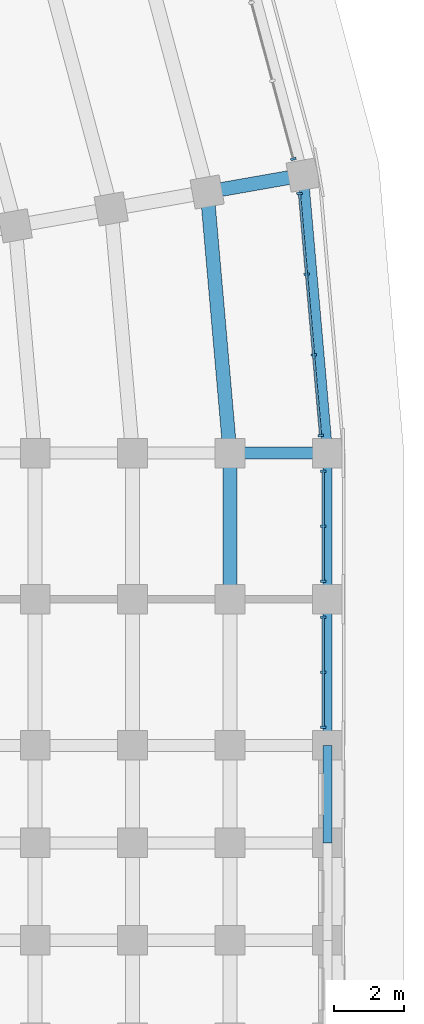
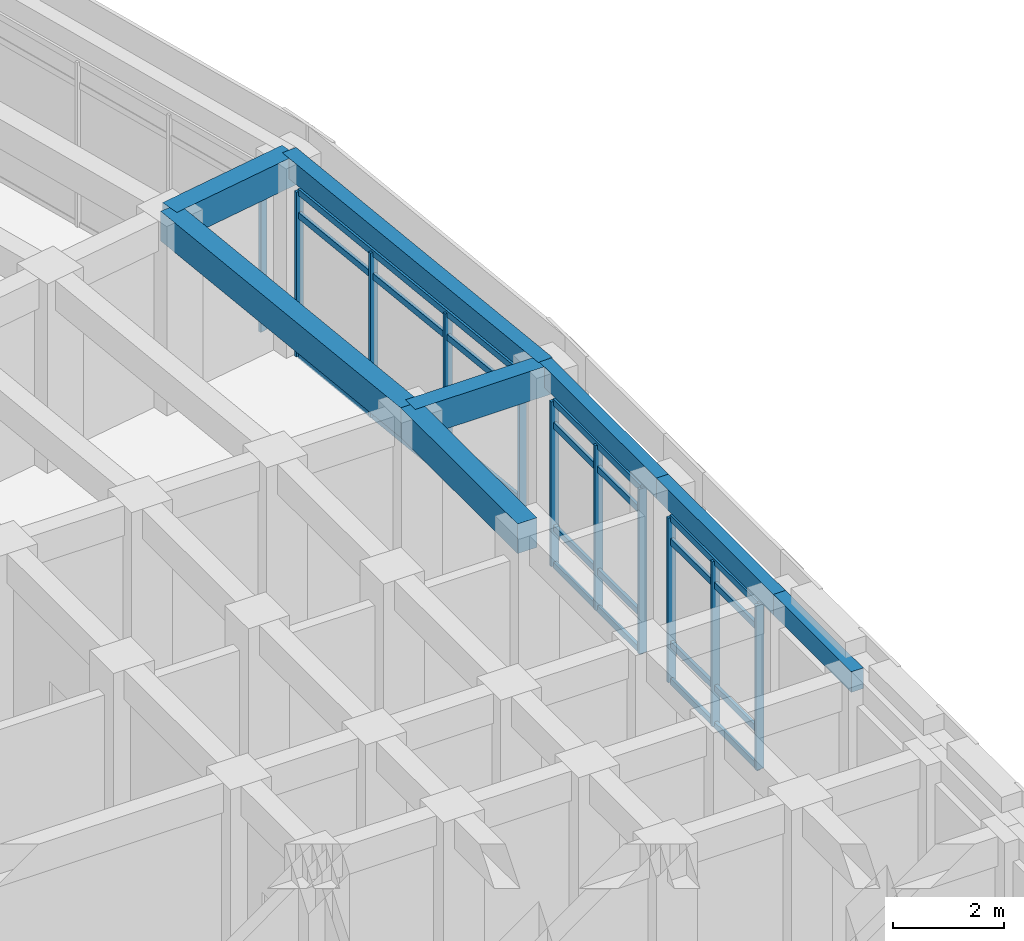
# One storey, part 49 of 135: 23 members, 8 beams, 4 elements without a shape of their own.
"""IFC4 building model written with IfcOpenShell, lengths in metres."""

from ifc_helpers import new_model, si_unit, direction, frame, origin, origin_2d, place, context, subcontext, project, spatial, rectangle, extrude, material, material_profile, profile_set, type_object, element, aggregate, save


model = new_model("IFC4")

# Units and contexts
model_context = context("Model", 3, precision=1e-05, world=origin(), true_north=direction((0.0, 1.0)))
body_context = subcontext(model_context, "Body", "Model", "MODEL_VIEW")
ifc_project = project(units=[si_unit("LENGTHUNIT", "METRE"), si_unit("AREAUNIT", "SQUARE_METRE"), si_unit("VOLUMEUNIT", "CUBIC_METRE"), si_unit("PLANEANGLEUNIT", "RADIAN"), si_unit("MASSUNIT", "GRAM", prefix="KILO")], contexts=[model_context])

# Site, building, storey
site_placement = place(None, origin())
site = spatial("IfcSite", under=ifc_project, at=site_placement, CompositionType="ELEMENT")
building_placement = place(site_placement, origin())
building = spatial("IfcBuilding", under=site, at=building_placement, Name="Kiranvali Square Residences", CompositionType="ELEMENT")
storey_placement = place(building_placement, origin())
storey = spatial("IfcBuildingStorey", under=building, at=storey_placement, Name="L00", CompositionType="ELEMENT", Elevation=0.0)

# Beams
ifc_material_1 = material(Name="Concrete M40 (40 MPa)", Category="concrete")
ifc_material_profile_1 = material_profile(ifc_material_1, rectangle(XDim=0.35009765625, YDim=0.64990234375, at=origin_2d()), Name="RC 350x650")
ifc_profile_set_1 = profile_set([ifc_material_profile_1], Name="Concrete M40 (40 MPa)")
beam_type_1 = type_object("IfcBeamType", Name="BM-M40-350x650", PredefinedType="BEAM", material=ifc_profile_set_1)
beam_1_placement = place(storey_placement, frame((163.0, 87.800048828125, 3.824951171875), z_axis=(1.0, 0.0, 0.0), x_axis=(0.0, 1.0, 0.0)))
element("IfcBeam", 1, at=beam_1_placement, inside=storey, type_object=beam_type_1, Name="L00 beam BM-B-L00-A2T0-67", PredefinedType="BEAM", context=body_context, shape_type="SweptSolid", body=[
    extrude(rectangle(XDim=0.35009765625, YDim=0.64990234375, at=origin_2d()), origin(), (0.0, 0.0, 1.0), 2.800048828125),
])
ifc_material_2 = material(Name="Concrete M45 (45 MPa)", Category="concrete")
ifc_material_profile_2 = material_profile(ifc_material_2, rectangle(XDim=0.39990234375, YDim=0.64990234375, at=origin_2d()), Name="RC 400x650")
ifc_profile_set_2 = profile_set([ifc_material_profile_2], Name="Concrete M45 (45 MPa)")
beam_type_2 = type_object("IfcBeamType", Name="BM-M45-400x650", PredefinedType="BEAM", material=ifc_profile_set_2)
beam_2_placement = place(storey_placement, frame((162.34375, 95.301513671875, 3.824951171875), z_axis=(0.087150058103, -0.996195195417, 0.0), x_axis=(0.996195195417, 0.087150058103, 0.0)))
element("IfcBeam", 2, at=beam_2_placement, inside=storey, type_object=beam_type_2, Name="L00 beam BM-B-L00-C08-R6", PredefinedType="BEAM", context=body_context, shape_type="SweptSolid", body=[
    extrude(rectangle(XDim=0.39990234375, YDim=0.64990234375, at=origin_2d()), origin(), (0.0, 0.0, 1.0), 7.530029296875),
])
beam_3_placement = place(storey_placement, frame((162.34375, 95.301513671875, 3.824951171875), z_axis=(0.984799355489, 0.173695795656, 0.0), x_axis=(-0.173695795656, 0.984799355489, 0.0)))
element("IfcBeam", 3, at=beam_3_placement, inside=storey, type_object=beam_type_2, Name="L00 beam BM-B-L00-RAD08-67", PredefinedType="BEAM", context=body_context, shape_type="SweptSolid", body=[
    extrude(rectangle(XDim=0.39990234375, YDim=0.64990234375, at=origin_2d()), origin(), (0.0, 0.0, 1.0), 2.7998046875),
])
beam_4_placement = place(storey_placement, frame((163.0, 87.800048828125, 3.824951171875), z_axis=(0.0, -1.0, 0.0), x_axis=(1.0, 0.0, 0.0)))
element("IfcBeam", 4, at=beam_4_placement, inside=storey, type_object=beam_type_2, Name="L00 beam BM-B-L00-A2V0-R6", PredefinedType="BEAM", context=body_context, shape_type="SweptSolid", body=[
    extrude(rectangle(XDim=0.39990234375, YDim=0.64990234375, at=origin_2d()), origin(), (0.0, 0.0, 1.0), 4.199951171875),
])

# Curtain wall, member
ifc_material_3 = material(Name="Anodised bronze aluminium framing", Category="aluminium")
curtain_wall_type = type_object("IfcCurtainWallType", Name="CW-RET-SHOP", PredefinedType="USERDEFINED", material=ifc_material_3)
curtain_wall_1_placement = place(storey_placement, origin())
curtain_wall_1 = element("IfcCurtainWall", 5, at=curtain_wall_1_placement, inside=storey, type_object=curtain_wall_type, Name="Block B L00 rounded-corner arcade curtain wall 8", ObjectType="CURTAIN WALL", PredefinedType="USERDEFINED")
ifc_material_profile_3 = material_profile(ifc_material_3, rectangle(XDim=0.06494140625, YDim=0.159912109375, at=origin_2d()), Name="ALU 65x160")
ifc_profile_set_3 = profile_set([ifc_material_profile_3], Name="Anodised bronze aluminium framing")
member_type_1 = type_object("IfcMemberType", Name="CW-MUL-160", PredefinedType="MULLION", material=ifc_profile_set_3)
member_1_placement = place(storey_placement, frame((164.82177734375, 96.251220703125, 0.02001953125), z_axis=(0.0, 0.0, 1.0), x_axis=(0.258819045103, -0.965925826289, 0.0)))
member_1 = element("IfcMember", 6, at=member_1_placement, type_object=member_type_1, Name="CW-B-L00-CRV-07 vertical mullion 4", PredefinedType="MULLION", context=body_context, shape_type="SweptSolid", body=[
    extrude(rectangle(XDim=0.06494140625, YDim=0.159912109375, at=origin_2d()), origin(), (0.0, 0.0, 1.0), 3.60986328125),
])
aggregate(curtain_wall_1, [member_1])

# Curtain wall, members
curtain_wall_2_placement = place(storey_placement, origin())
curtain_wall_2 = element("IfcCurtainWall", 7, at=curtain_wall_2_placement, inside=storey, type_object=curtain_wall_type, Name="Block B L00 rounded-corner arcade curtain wall 9", ObjectType="CURTAIN WALL", PredefinedType="USERDEFINED")
member_2_placement = place(storey_placement, frame((164.9970703125, 95.2568359375, 0.02001953125), z_axis=(0.0, 0.0, 1.0), x_axis=(0.087155742748, -0.996194698092, 0.0)))
member_2 = element("IfcMember", 8, at=member_2_placement, type_object=member_type_1, Name="CW-B-L00-CRV-08 vertical mullion 1", PredefinedType="MULLION", context=body_context, shape_type="SweptSolid", body=[
    extrude(rectangle(XDim=0.06494140625, YDim=0.159912109375, at=origin_2d()), origin(), (0.0, 0.0, 1.0), 3.60986328125),
])
member_3_placement = place(storey_placement, frame((165.19970703125, 92.939453125, 0.02001953125), z_axis=(0.0, 0.0, 1.0), x_axis=(0.087155742748, -0.996194698092, 0.0)))
member_3 = element("IfcMember", 9, at=member_3_placement, type_object=member_type_1, Name="CW-B-L00-CRV-08 vertical mullion 2", PredefinedType="MULLION", context=body_context, shape_type="SweptSolid", body=[
    extrude(rectangle(XDim=0.06494140625, YDim=0.159912109375, at=origin_2d()), origin(), (0.0, 0.0, 1.0), 3.60986328125),
])
member_4_placement = place(storey_placement, frame((165.402587890625, 90.622314453125, 0.02001953125), z_axis=(0.0, 0.0, 1.0), x_axis=(0.087155742748, -0.996194698092, 0.0)))
member_4 = element("IfcMember", 10, at=member_4_placement, type_object=member_type_1, Name="CW-B-L00-CRV-08 vertical mullion 3", PredefinedType="MULLION", context=body_context, shape_type="SweptSolid", body=[
    extrude(rectangle(XDim=0.06494140625, YDim=0.159912109375, at=origin_2d()), origin(), (0.0, 0.0, 1.0), 3.60986328125),
])
member_5_placement = place(storey_placement, frame((165.605224609375, 88.304931640625, 0.02001953125), z_axis=(0.0, 0.0, 1.0), x_axis=(0.087155742748, -0.996194698092, 0.0)))
member_5 = element("IfcMember", 11, at=member_5_placement, type_object=member_type_1, Name="CW-B-L00-CRV-08 vertical mullion 4", PredefinedType="MULLION", context=body_context, shape_type="SweptSolid", body=[
    extrude(rectangle(XDim=0.06494140625, YDim=0.159912109375, at=origin_2d()), origin(), (0.0, 0.0, 1.0), 3.60986328125),
])

curtain_wall_3_placement = place(storey_placement, origin())
curtain_wall_3 = element("IfcCurtainWall", 12, at=curtain_wall_3_placement, inside=storey, type_object=curtain_wall_type, Name="L00 curtain wall CW-B-L00-A2-0", ObjectType="CURTAIN WALL", PredefinedType="USERDEFINED")
member_6_placement = place(storey_placement, frame((165.679931640625, 87.280029296875, 0.02001953125), z_axis=(0.0, 0.0, 1.0), x_axis=(0.0, -1.0, 0.0)))
member_6 = element("IfcMember", 13, at=member_6_placement, type_object=member_type_1, Name="CW-B-L00-A2-0 vertical mullion 1", PredefinedType="MULLION", context=body_context, shape_type="SweptSolid", body=[
    extrude(rectangle(XDim=0.06494140625, YDim=0.159912109375, at=origin_2d()), origin(), (0.0, 0.0, 1.0), 3.60986328125),
])
member_7_placement = place(storey_placement, frame((165.679931640625, 85.699951171875, 0.02001953125), z_axis=(0.0, 0.0, 1.0), x_axis=(0.0, -1.0, 0.0)))
member_7 = element("IfcMember", 14, at=member_7_placement, type_object=member_type_1, Name="CW-B-L00-A2-0 vertical mullion 2", PredefinedType="MULLION", context=body_context, shape_type="SweptSolid", body=[
    extrude(rectangle(XDim=0.06494140625, YDim=0.159912109375, at=origin_2d()), origin(), (0.0, 0.0, 1.0), 3.60986328125),
])
member_8_placement = place(storey_placement, frame((165.679931640625, 84.1201171875, 0.02001953125), z_axis=(0.0, 0.0, 1.0), x_axis=(0.0, -1.0, 0.0)))
member_8 = element("IfcMember", 15, at=member_8_placement, type_object=member_type_1, Name="CW-B-L00-A2-0 vertical mullion 3", PredefinedType="MULLION", context=body_context, shape_type="SweptSolid", body=[
    extrude(rectangle(XDim=0.06494140625, YDim=0.159912109375, at=origin_2d()), origin(), (0.0, 0.0, 1.0), 3.60986328125),
])

curtain_wall_4_placement = place(storey_placement, origin())
curtain_wall_4 = element("IfcCurtainWall", 16, at=curtain_wall_4_placement, inside=storey, type_object=curtain_wall_type, Name="L00 curtain wall CW-B-L00-A2-1", ObjectType="CURTAIN WALL", PredefinedType="USERDEFINED")
member_9_placement = place(storey_placement, frame((165.679931640625, 83.080078125, 0.02001953125), z_axis=(0.0, 0.0, 1.0), x_axis=(0.0, -1.0, 0.0)))
member_9 = element("IfcMember", 17, at=member_9_placement, type_object=member_type_1, Name="CW-B-L00-A2-1 vertical mullion 1", PredefinedType="MULLION", context=body_context, shape_type="SweptSolid", body=[
    extrude(rectangle(XDim=0.06494140625, YDim=0.159912109375, at=origin_2d()), origin(), (0.0, 0.0, 1.0), 3.60986328125),
])
member_10_placement = place(storey_placement, frame((165.679931640625, 81.5, 0.02001953125), z_axis=(0.0, 0.0, 1.0), x_axis=(0.0, -1.0, 0.0)))
member_10 = element("IfcMember", 18, at=member_10_placement, type_object=member_type_1, Name="CW-B-L00-A2-1 vertical mullion 2", PredefinedType="MULLION", context=body_context, shape_type="SweptSolid", body=[
    extrude(rectangle(XDim=0.06494140625, YDim=0.159912109375, at=origin_2d()), origin(), (0.0, 0.0, 1.0), 3.60986328125),
])
member_11_placement = place(storey_placement, frame((165.679931640625, 79.919921875, 0.02001953125), z_axis=(0.0, 0.0, 1.0), x_axis=(0.0, -1.0, 0.0)))
member_11 = element("IfcMember", 19, at=member_11_placement, type_object=member_type_1, Name="CW-B-L00-A2-1 vertical mullion 3", PredefinedType="MULLION", context=body_context, shape_type="SweptSolid", body=[
    extrude(rectangle(XDim=0.06494140625, YDim=0.159912109375, at=origin_2d()), origin(), (0.0, 0.0, 1.0), 3.60986328125),
])

# Member
ifc_material_profile_4 = material_profile(ifc_material_3, rectangle(XDim=0.06494140625, YDim=0.139892578125, at=origin_2d()), Name="ALU 65x140")
ifc_profile_set_4 = profile_set([ifc_material_profile_4], Name="Anodised bronze aluminium framing")
member_type_2 = type_object("IfcMemberType", Name="CW-TRN-140", PredefinedType="MULLION", material=ifc_profile_set_4)
member_12_placement = place(storey_placement, frame((164.997802734375, 95.246826171875, 0.0400390625), z_axis=(0.087188277046, -0.996191851174, 0.0), x_axis=(0.996191851174, 0.087188277046, 0.0)))
member_12 = element("IfcMember", 20, at=member_12_placement, type_object=member_type_2, Name="CW-B-L00-CRV-08 horizontal transom 1", PredefinedType="MULLION", context=body_context, shape_type="SweptSolid", body=[
    extrude(rectangle(XDim=0.06494140625, YDim=0.139892578125, at=origin_2d()), origin(), (0.0, 0.0, 1.0), 6.95849609375),
])

member_13_placement = place(storey_placement, frame((164.997802734375, 95.246826171875, 0.85009765625), z_axis=(0.087188277046, -0.996191851174, 0.0), x_axis=(0.996191851174, 0.087188277046, 0.0)))
member_13 = element("IfcMember", 21, at=member_13_placement, type_object=member_type_2, Name="CW-B-L00-CRV-08 horizontal transom 2", PredefinedType="MULLION", context=body_context, shape_type="SweptSolid", body=[
    extrude(rectangle(XDim=0.06494140625, YDim=0.139892578125, at=origin_2d()), origin(), (0.0, 0.0, 1.0), 6.95849609375),
])

member_14_placement = place(storey_placement, frame((164.997802734375, 95.246826171875, 3.10009765625), z_axis=(0.087188277046, -0.996191851174, 0.0), x_axis=(0.996191851174, 0.087188277046, 0.0)))
member_14 = element("IfcMember", 22, at=member_14_placement, type_object=member_type_2, Name="CW-B-L00-CRV-08 horizontal transom 3", PredefinedType="MULLION", context=body_context, shape_type="SweptSolid", body=[
    extrude(rectangle(XDim=0.06494140625, YDim=0.139892578125, at=origin_2d()), origin(), (0.0, 0.0, 1.0), 6.95849609375),
])

member_15_placement = place(storey_placement, frame((164.997802734375, 95.246826171875, 3.610107421875), z_axis=(0.087188277046, -0.996191851174, 0.0), x_axis=(0.996191851174, 0.087188277046, 0.0)))
member_15 = element("IfcMember", 23, at=member_15_placement, type_object=member_type_2, Name="CW-B-L00-CRV-08 horizontal transom 4", PredefinedType="MULLION", context=body_context, shape_type="SweptSolid", body=[
    extrude(rectangle(XDim=0.06494140625, YDim=0.139892578125, at=origin_2d()), origin(), (0.0, 0.0, 1.0), 6.95849609375),
])

aggregate(curtain_wall_2, [member_2, member_3, member_4, member_5, member_12, member_13, member_14, member_15])

member_16_placement = place(storey_placement, frame((165.679931640625, 87.27001953125, 0.0400390625), z_axis=(0.0, -1.0, 0.0), x_axis=(1.0, 0.0, 0.0)))
member_16 = element("IfcMember", 24, at=member_16_placement, type_object=member_type_2, Name="CW-B-L00-A2-0 horizontal transom 1", PredefinedType="MULLION", context=body_context, shape_type="SweptSolid", body=[
    extrude(rectangle(XDim=0.06494140625, YDim=0.139892578125, at=origin_2d()), origin(), (0.0, 0.0, 1.0), 3.14013671875),
])

member_17_placement = place(storey_placement, frame((165.679931640625, 87.27001953125, 0.85009765625), z_axis=(0.0, -1.0, 0.0), x_axis=(1.0, 0.0, 0.0)))
member_17 = element("IfcMember", 25, at=member_17_placement, type_object=member_type_2, Name="CW-B-L00-A2-0 horizontal transom 2", PredefinedType="MULLION", context=body_context, shape_type="SweptSolid", body=[
    extrude(rectangle(XDim=0.06494140625, YDim=0.139892578125, at=origin_2d()), origin(), (0.0, 0.0, 1.0), 3.14013671875),
])

member_18_placement = place(storey_placement, frame((165.679931640625, 87.27001953125, 3.10009765625), z_axis=(0.0, -1.0, 0.0), x_axis=(1.0, 0.0, 0.0)))
member_18 = element("IfcMember", 26, at=member_18_placement, type_object=member_type_2, Name="CW-B-L00-A2-0 horizontal transom 3", PredefinedType="MULLION", context=body_context, shape_type="SweptSolid", body=[
    extrude(rectangle(XDim=0.06494140625, YDim=0.139892578125, at=origin_2d()), origin(), (0.0, 0.0, 1.0), 3.14013671875),
])

member_19_placement = place(storey_placement, frame((165.679931640625, 87.27001953125, 3.610107421875), z_axis=(0.0, -1.0, 0.0), x_axis=(1.0, 0.0, 0.0)))
member_19 = element("IfcMember", 27, at=member_19_placement, type_object=member_type_2, Name="CW-B-L00-A2-0 horizontal transom 4", PredefinedType="MULLION", context=body_context, shape_type="SweptSolid", body=[
    extrude(rectangle(XDim=0.06494140625, YDim=0.139892578125, at=origin_2d()), origin(), (0.0, 0.0, 1.0), 3.14013671875),
])

aggregate(curtain_wall_3, [member_6, member_7, member_8, member_16, member_17, member_18, member_19])

member_20_placement = place(storey_placement, frame((165.679931640625, 83.070068359375, 0.0400390625), z_axis=(0.0, -1.0, 0.0), x_axis=(1.0, 0.0, 0.0)))
member_20 = element("IfcMember", 28, at=member_20_placement, type_object=member_type_2, Name="CW-B-L00-A2-1 horizontal transom 1", PredefinedType="MULLION", context=body_context, shape_type="SweptSolid", body=[
    extrude(rectangle(XDim=0.06494140625, YDim=0.139892578125, at=origin_2d()), origin(), (0.0, 0.0, 1.0), 3.14013671875),
])

member_21_placement = place(storey_placement, frame((165.679931640625, 83.070068359375, 0.85009765625), z_axis=(0.0, -1.0, 0.0), x_axis=(1.0, 0.0, 0.0)))
member_21 = element("IfcMember", 29, at=member_21_placement, type_object=member_type_2, Name="CW-B-L00-A2-1 horizontal transom 2", PredefinedType="MULLION", context=body_context, shape_type="SweptSolid", body=[
    extrude(rectangle(XDim=0.06494140625, YDim=0.139892578125, at=origin_2d()), origin(), (0.0, 0.0, 1.0), 3.14013671875),
])

member_22_placement = place(storey_placement, frame((165.679931640625, 83.070068359375, 3.10009765625), z_axis=(0.0, -1.0, 0.0), x_axis=(1.0, 0.0, 0.0)))
member_22 = element("IfcMember", 30, at=member_22_placement, type_object=member_type_2, Name="CW-B-L00-A2-1 horizontal transom 3", PredefinedType="MULLION", context=body_context, shape_type="SweptSolid", body=[
    extrude(rectangle(XDim=0.06494140625, YDim=0.139892578125, at=origin_2d()), origin(), (0.0, 0.0, 1.0), 3.14013671875),
])

member_23_placement = place(storey_placement, frame((165.679931640625, 83.070068359375, 3.610107421875), z_axis=(0.0, -1.0, 0.0), x_axis=(1.0, 0.0, 0.0)))
member_23 = element("IfcMember", 31, at=member_23_placement, type_object=member_type_2, Name="CW-B-L00-A2-1 horizontal transom 4", PredefinedType="MULLION", context=body_context, shape_type="SweptSolid", body=[
    extrude(rectangle(XDim=0.06494140625, YDim=0.139892578125, at=origin_2d()), origin(), (0.0, 0.0, 1.0), 3.14013671875),
])

aggregate(curtain_wall_4, [member_9, member_10, member_11, member_20, member_21, member_22, member_23])

# Beams
ifc_material_profile_5 = material_profile(ifc_material_1, rectangle(XDim=0.25, YDim=0.449951171875, at=origin_2d()), Name="RC 250x450")
ifc_profile_set_5 = profile_set([ifc_material_profile_5], Name="Concrete M40 (40 MPa)")
beam_type_3 = type_object("IfcBeamType", Name="SPN-M40-250x450", PredefinedType="SPANDREL", material=ifc_profile_set_5)
beam_5_placement = place(storey_placement, frame((165.800048828125, 87.800048828125, 3.925048828125), z_axis=(0.0, -1.0, 0.0), x_axis=(1.0, 0.0, 0.0)))
element("IfcBeam", 32, at=beam_5_placement, inside=storey, type_object=beam_type_3, Name="L00 beam BM-B-L00-A2V0-R7", PredefinedType="SPANDREL", context=body_context, shape_type="SweptSolid", body=[
    extrude(rectangle(XDim=0.25, YDim=0.449951171875, at=origin_2d()), origin(), (0.0, 0.0, 1.0), 4.199951171875),
])
beam_6_placement = place(storey_placement, frame((165.800048828125, 83.60009765625, 3.925048828125), z_axis=(0.0, -1.0, 0.0), x_axis=(1.0, 0.0, 0.0)))
element("IfcBeam", 33, at=beam_6_placement, inside=storey, type_object=beam_type_3, Name="L00 beam BM-B-L00-A2V1-R7", PredefinedType="SPANDREL", context=body_context, shape_type="SweptSolid", body=[
    extrude(rectangle(XDim=0.25, YDim=0.449951171875, at=origin_2d()), origin(), (0.0, 0.0, 1.0), 4.2001953125),
])
beam_7_placement = place(storey_placement, frame((165.800048828125, 79.39990234375, 3.925048828125), z_axis=(0.0, -1.0, 0.0), x_axis=(1.0, 0.0, 0.0)))
element("IfcBeam", 34, at=beam_7_placement, inside=storey, type_object=beam_type_3, Name="L00 beam BM-B-L00-A2V2-R7", PredefinedType="SPANDREL", context=body_context, shape_type="SweptSolid", body=[
    extrude(rectangle(XDim=0.25, YDim=0.449951171875, at=origin_2d()), origin(), (0.0, 0.0, 1.0), 2.7998046875),
])
ifc_material_profile_6 = material_profile(ifc_material_1, rectangle(XDim=0.300048828125, YDim=0.449951171875, at=origin_2d()), Name="RC 300x450")
ifc_profile_set_6 = profile_set([ifc_material_profile_6], Name="Concrete M40 (40 MPa)")
beam_type_4 = type_object("IfcBeamType", Name="SPN-M40-300x450", PredefinedType="SPANDREL", material=ifc_profile_set_6)
beam_8_placement = place(storey_placement, frame((165.10107421875, 95.787841796875, 3.925048828125), z_axis=(0.087172238171, -0.996193254792, 0.0), x_axis=(0.996193254792, 0.087172238171, 0.0)))
element("IfcBeam", 35, at=beam_8_placement, inside=storey, type_object=beam_type_4, Name="L00 beam BM-B-L00-C08-R7", PredefinedType="SPANDREL", context=body_context, shape_type="SweptSolid", body=[
    extrude(rectangle(XDim=0.300048828125, YDim=0.449951171875, at=origin_2d()), origin(), (0.0, 0.0, 1.0), 8.018310546875),
])

save(model, "model.ifc")
